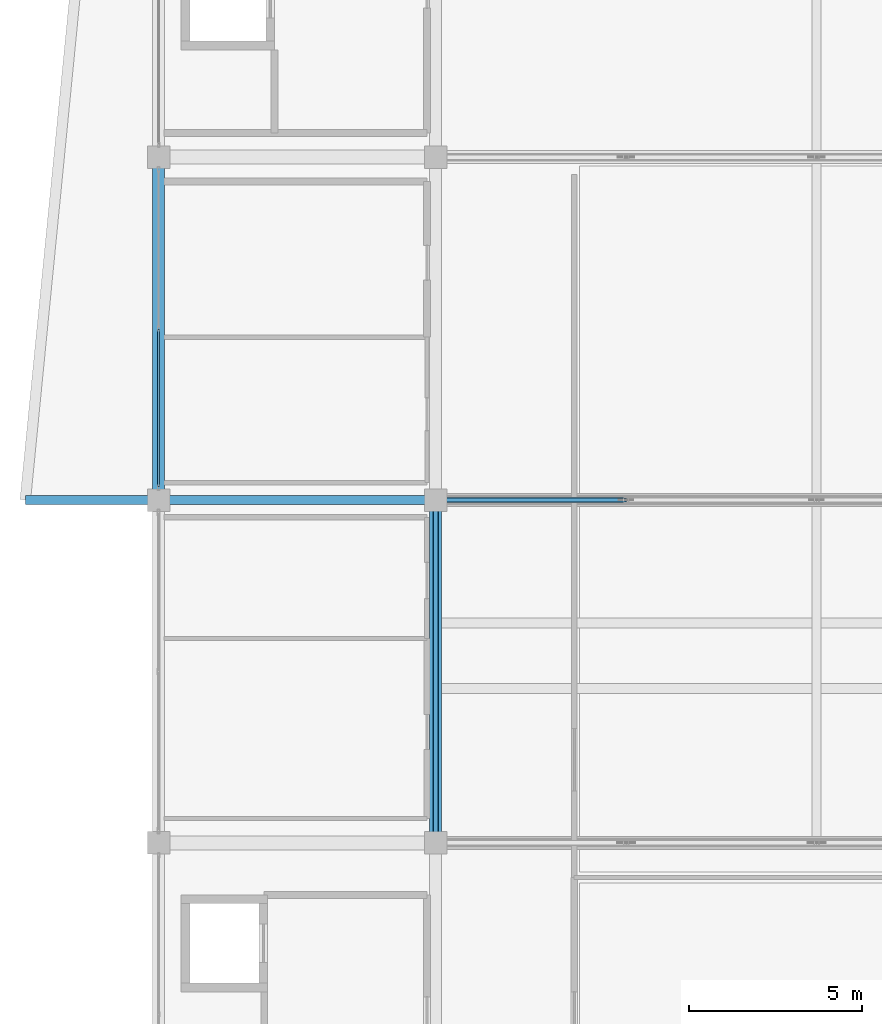
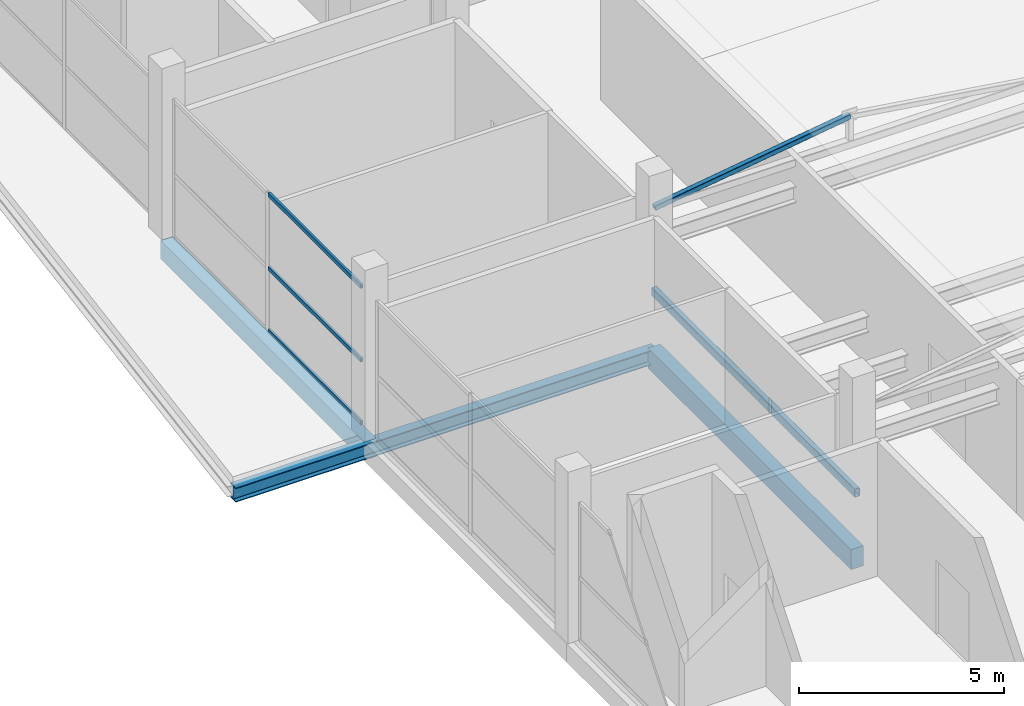
# One storey, part 22 of 66: 4 beams, 4 members, 1 element without a shape of its own.
"""IFC4 building model written with IfcOpenShell, lengths in metres."""

from ifc_helpers import new_model, si_unit, direction, frame, origin, origin_2d, place, context, subcontext, project, spatial, rectangle, hollow_rectangle, i_section, extrude, material, layer, layer_set, material_profile, profile_set, type_object, element, aggregate, save


model = new_model("IFC4")

# Units and contexts
model_context = context("Model", 3, precision=1e-05, world=origin(), true_north=direction((0.0, 1.0)))
body_context = subcontext(model_context, "Body", "Model", "MODEL_VIEW")
ifc_project = project(units=[si_unit("LENGTHUNIT", "METRE"), si_unit("AREAUNIT", "SQUARE_METRE"), si_unit("VOLUMEUNIT", "CUBIC_METRE"), si_unit("PLANEANGLEUNIT", "RADIAN"), si_unit("MASSUNIT", "GRAM", prefix="KILO")], contexts=[model_context])

# Site, building, storey
site_placement = place(None, origin())
site = spatial("IfcSite", under=ifc_project, at=site_placement, CompositionType="ELEMENT")
building_placement = place(site_placement, origin())
building = spatial("IfcBuilding", under=site, at=building_placement, Name="Sillaruma Civic Art Gallery", CompositionType="ELEMENT")
storey_placement = place(building_placement, frame((0.0, 0.0, 57.1201171875)))
storey = spatial("IfcBuildingStorey", under=building, at=storey_placement, Name="L11", CompositionType="ELEMENT", Elevation=57.1201171875)

# Beams
ifc_material_1 = material(Name="Concrete H35 (35 MPa)", Category="concrete")
ifc_material_profile_1 = material_profile(ifc_material_1, rectangle(XDim=0.35009765625, YDim=0.60009765625, at=origin_2d()), Name="RCB350x600")
ifc_profile_set_1 = profile_set([ifc_material_profile_1], Name="Concrete H35 (35 MPa)")
beam_type_1 = type_object("IfcBeamType", Name="BM-BEAM-RCB350x600", PredefinedType="BEAM", material=ifc_profile_set_1)
beam_1_placement = place(storey_placement, frame((70.0, 49.5, -0.550048828125), z_axis=(0.0, 1.0, 0.0), x_axis=(-1.0, 0.0, 0.0)))
element("IfcBeam", 1, at=beam_1_placement, inside=storey, type_object=beam_type_1, Name="Beam BM-06 (L10:G:6-7)", PredefinedType="BEAM", context=body_context, shape_type="SweptSolid", body=[
    extrude(rectangle(XDim=0.35009765625, YDim=0.60009765625, at=origin_2d()), origin(), (0.0, 0.0, 1.0), 9.89990234375),
])
ifc_material_2 = material(Name="Structural Steel ASTM A500 Gr.C", Category="steel")
ifc_material_profile_2 = material_profile(ifc_material_2, hollow_rectangle(XDim=0.14990234375, YDim=0.25, WallThickness=0.010009765625, InnerFilletRadius=0.010009765625, OuterFilletRadius=0.02001953125, at=origin_2d()), Name="HSS250x150x10")
ifc_profile_set_2 = profile_set([ifc_material_profile_2], Name="Structural Steel ASTM A500 Gr.C")
beam_type_2 = type_object("IfcBeamType", Name="BM-LND-HSS200", PredefinedType="BEAM", material=ifc_profile_set_2)
beam_2_placement = place(storey_placement, frame((70.0, 49.5, 1.389892578125), z_axis=(0.0, 1.0, 0.0), x_axis=(-1.0, 0.0, 0.0)))
element("IfcBeam", 2, at=beam_2_placement, inside=storey, type_object=beam_type_2, Name="Feature Stair L1 Rail (ST-G07-W)", PredefinedType="BEAM", context=body_context, shape_type="SweptSolid", body=[
    extrude(hollow_rectangle(XDim=0.14990234375, YDim=0.25, WallThickness=0.010009765625, InnerFilletRadius=0.010009765625, OuterFilletRadius=0.02001953125, at=origin_2d()), origin(), (0.0, 0.0, 1.0), 9.89990234375),
])
ifc_material_3 = material(Name="Structural Steel ASTM A992 Gr.50", Category="steel")
ifc_material_profile_3 = material_profile(ifc_material_3, i_section(OverallWidth=0.264892578125, OverallDepth=0.430908203125, WebThickness=0.014892578125, FlangeThickness=0.02490234375, FilletRadius=0.012939453125, at=origin_2d()), Name="W410x149")
ifc_profile_set_3 = profile_set([ifc_material_profile_3], Name="Structural Steel ASTM A992 Gr.50")
beam_type_3 = type_object("IfcBeamType", Name="BM-PROW-W410x149", PredefinedType="BEAM", material=ifc_profile_set_3)
beam_3_placement = place(storey_placement, frame((70.0, 59.39990234375, -0.465576171875), z_axis=(-1.0, 0.0, 0.0), x_axis=(0.0, -1.0, 0.0)))
element("IfcBeam", 3, at=beam_3_placement, inside=storey, type_object=beam_type_3, Name="Back-Spanned Prow Beam (PRW-L10-W-ROF-S)", PredefinedType="BEAM", context=body_context, shape_type="SweptSolid", body=[
    extrude(i_section(OverallWidth=0.264892578125, OverallDepth=0.430908203125, WebThickness=0.014892578125, FlangeThickness=0.02490234375, FilletRadius=0.012939453125, at=origin_2d()), origin(), (0.0, 0.0, 1.0), 11.85009765625),
])
ifc_material_profile_4 = material_profile(ifc_material_1, rectangle(XDim=0.35009765625, YDim=0.550048828125, at=origin_2d()), Name="RCB350x550")
ifc_profile_set_4 = profile_set([ifc_material_profile_4], Name="Concrete H35 (35 MPa)")
beam_type_4 = type_object("IfcBeamType", Name="BM-SPANDREL-RCB350x550", PredefinedType="SPANDREL", material=ifc_profile_set_4)
beam_4_placement = place(storey_placement, frame((62.0, 59.39990234375, -0.525146484375), z_axis=(0.0, 1.0, 0.0), x_axis=(-1.0, 0.0, 0.0)))
element("IfcBeam", 4, at=beam_4_placement, inside=storey, type_object=beam_type_4, Name="Beam BS-04 (L10:F:7-8)", PredefinedType="SPANDREL", context=body_context, shape_type="SweptSolid", body=[
    extrude(rectangle(XDim=0.35009765625, YDim=0.550048828125, at=origin_2d()), origin(), (0.0, 0.0, 1.0), 9.900146484375),
])

# Member
ifc_material_profile_5 = material_profile(ifc_material_2, hollow_rectangle(XDim=0.14990234375, YDim=0.14990234375, WallThickness=0.010009765625, InnerFilletRadius=0.010009765625, OuterFilletRadius=0.02001953125, at=origin_2d()), Name="HSS150x150x10")
ifc_profile_set_5 = profile_set([ifc_material_profile_5], Name="Structural Steel ASTM A500 Gr.C")
member_type_1 = type_object("IfcMemberType", Name="MEM-BRACE-HSS150x150x10", PredefinedType="BRACE", material=ifc_profile_set_5)
member_1_placement = place(storey_placement, frame((70.0, 59.39990234375, 3.8798828125), z_axis=(0.989377720719, 0.0, 0.145367553959), x_axis=(0.0, 1.0, 0.0)))
element("IfcMember", 5, at=member_1_placement, inside=storey, type_object=member_type_1, Name="Warren Truss Diagonal TR-L11-2-D1", PredefinedType="BRACE", context=body_context, shape_type="SweptSolid", body=[
    extrude(hollow_rectangle(XDim=0.14990234375, YDim=0.14990234375, WallThickness=0.010009765625, InnerFilletRadius=0.010009765625, OuterFilletRadius=0.02001953125, at=origin_2d()), origin(), (0.0, 0.0, 1.0), 5.55908203125),
])

# Curtain wall, members
ifc_material_4 = material(Name="Thermally Broken Extruded Aluminium 6063-T6", Category="aluminium")
ifc_layer = layer(ifc_material_4, 0.159912109375, Name="Thermally Broken Extruded Aluminium 6063-T6")
ifc_layer_set = layer_set([ifc_layer], Name="Thermally Broken Extruded Aluminium 6063-T6")
curtain_wall_type = type_object("IfcCurtainWallType", Name="CW-UNI-69", PredefinedType="NOTDEFINED", material=ifc_layer_set)
curtain_wall_placement = place(storey_placement, origin())
curtain_wall = element("IfcCurtainWall", 6, at=curtain_wall_placement, inside=storey, type_object=curtain_wall_type, Name="Unitised Curtain Wall CW-69 (CW-L11-WBW-5)", PredefinedType="NOTDEFINED")
ifc_material_profile_6 = material_profile(ifc_material_4, hollow_rectangle(XDim=0.06494140625, YDim=0.1201171875, WallThickness=0.00341796875, at=origin_2d()), Name="CWT65x120")
ifc_profile_set_6 = profile_set([ifc_material_profile_6], Name="Thermally Broken Extruded Aluminium 6063-T6")
member_type_2 = type_object("IfcMemberType", Name="MEM-TRN-CWT65x120", PredefinedType="USERDEFINED", material=ifc_profile_set_6)
member_2_placement = place(storey_placement, frame((62.0, 59.7900390625, 0.032470703125), z_axis=(0.0, 1.0, 0.0), x_axis=(-1.0, 0.0, 0.0)))
member_2 = element("IfcMember", 7, at=member_2_placement, type_object=member_type_2, Name="CW-69 transom 1.1", ObjectType="TRANSOM", PredefinedType="USERDEFINED", context=body_context, shape_type="SweptSolid", body=[
    extrude(hollow_rectangle(XDim=0.06494140625, YDim=0.1201171875, WallThickness=0.00341796875, at=origin_2d()), origin(), (0.0, 0.0, 1.0), 4.52734375),
])
member_3_placement = place(storey_placement, frame((62.0, 59.7900390625, 1.89501953125), z_axis=(0.0, 1.0, 0.0), x_axis=(-1.0, 0.0, 0.0)))
member_3 = element("IfcMember", 8, at=member_3_placement, type_object=member_type_2, Name="CW-69 transom 1.2", ObjectType="TRANSOM", PredefinedType="USERDEFINED", context=body_context, shape_type="SweptSolid", body=[
    extrude(hollow_rectangle(XDim=0.06494140625, YDim=0.1201171875, WallThickness=0.00341796875, at=origin_2d()), origin(), (0.0, 0.0, 1.0), 4.52734375),
])
member_4_placement = place(storey_placement, frame((62.0, 59.7900390625, 4.08740234375), z_axis=(0.0, 1.0, 0.0), x_axis=(-1.0, 0.0, 0.0)))
member_4 = element("IfcMember", 9, at=member_4_placement, type_object=member_type_2, Name="CW-69 transom 1.3", ObjectType="TRANSOM", PredefinedType="USERDEFINED", context=body_context, shape_type="SweptSolid", body=[
    extrude(hollow_rectangle(XDim=0.06494140625, YDim=0.1201171875, WallThickness=0.00341796875, at=origin_2d()), origin(), (0.0, 0.0, 1.0), 4.52734375),
])
aggregate(curtain_wall, [member_2, member_3, member_4])

save(model, "model.ifc")
